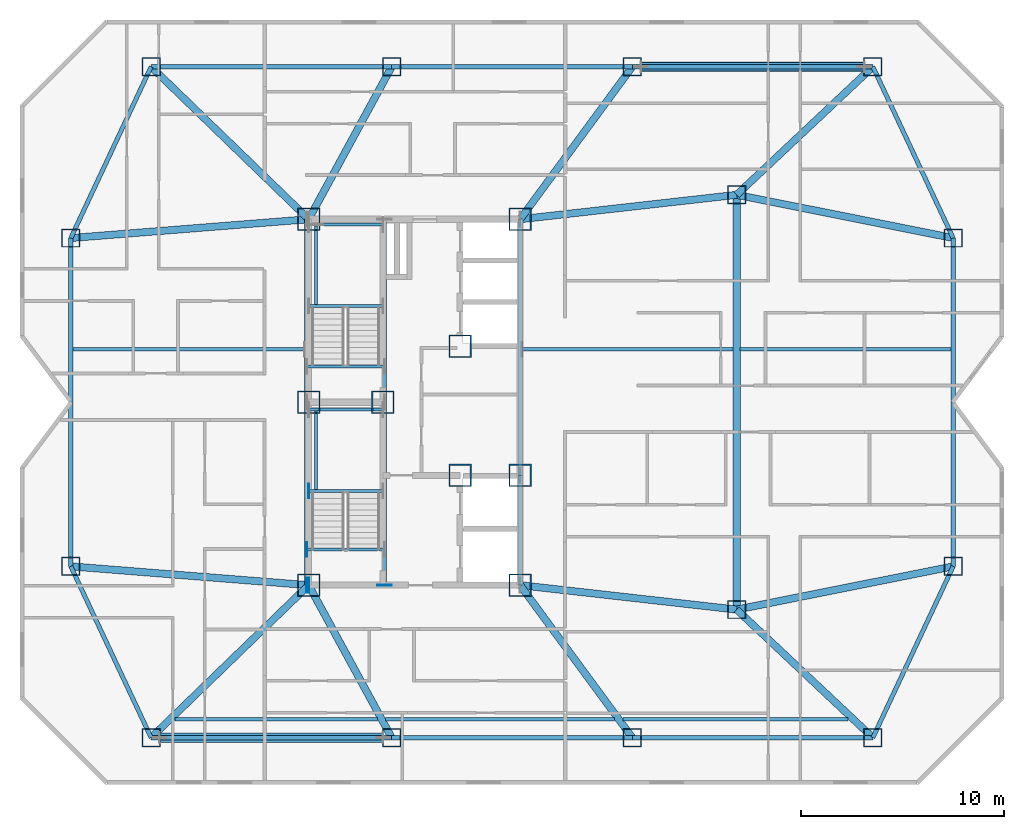
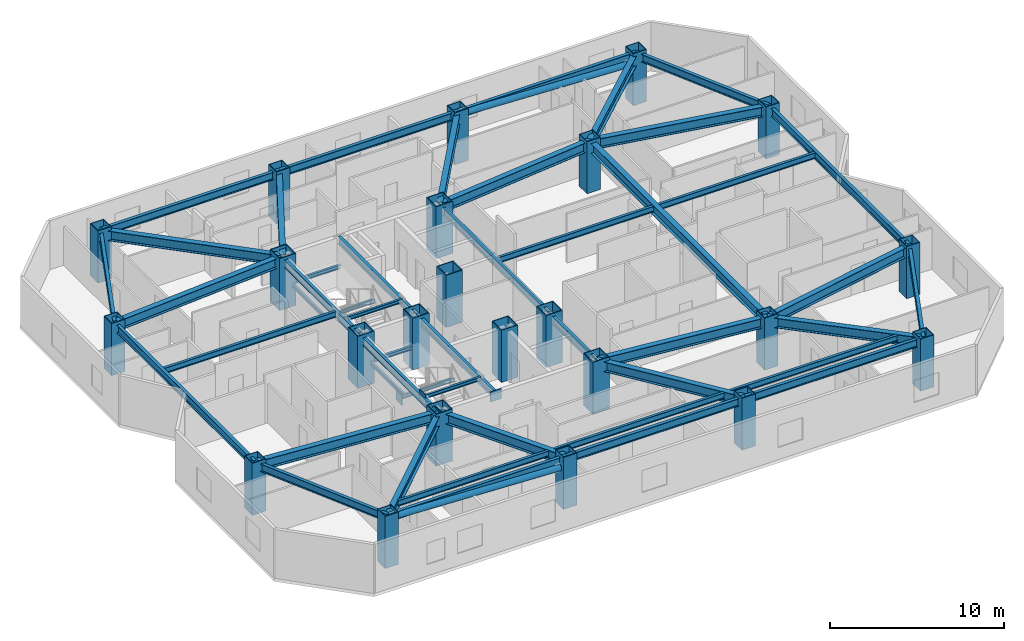
# One storey, part 1 of 11: 47 beams, 23 columns, 5 plates, 2 members.
"""IFC4 building model written with IfcOpenShell, lengths in metres."""

from ifc_helpers import new_model, si_unit, direction, frame, origin, origin_2d, place, context, subcontext, project, spatial, rectangle, hollow_rectangle, hollow_circle, i_section, extrude, material, layer, layer_set, material_profile, profile_set, type_object, element, save


model = new_model("IFC4")

# Units and contexts
model_context = context("Model", 3, precision=1e-05, world=origin(), true_north=direction((0.0, 1.0)))
body_context = subcontext(model_context, "Body", "Model", "MODEL_VIEW")
ifc_project = project(units=[si_unit("LENGTHUNIT", "METRE"), si_unit("AREAUNIT", "SQUARE_METRE"), si_unit("VOLUMEUNIT", "CUBIC_METRE"), si_unit("PLANEANGLEUNIT", "RADIAN"), si_unit("MASSUNIT", "GRAM", prefix="KILO")], contexts=[model_context])

# Site, building, storey
site_placement = place(None, origin())
site = spatial("IfcSite", under=ifc_project, at=site_placement, CompositionType="ELEMENT")
building_placement = place(site_placement, origin())
building = spatial("IfcBuilding", under=site, at=building_placement, Name="Khamvora Tower", CompositionType="ELEMENT")
storey_placement = place(building_placement, frame((0.0, 0.0, 163.199951171875)))
storey = spatial("IfcBuildingStorey", under=building, at=storey_placement, Name="L41", CompositionType="ELEMENT", Elevation=163.199951171875)

# Columns
ifc_material_1 = material(Name="Steel S460", Category="steel")
ifc_material_profile_1 = material_profile(ifc_material_1, hollow_rectangle(XDim=1.10009765625, YDim=1.10009765625, WallThickness=0.054931640625, at=origin_2d()), Name="BOX1100x1100x55")
ifc_profile_set_1 = profile_set([ifc_material_profile_1], Name="Steel S460")
column_type_1 = type_object("IfcColumnType", Name="COL-BOX1100", PredefinedType="COLUMN", material=ifc_profile_set_1)
for number, where, z_axis, x_axis, name in (
    (1, (29.0, 19.0, 0.0), (0.0, 0.0, 1.0), (1.0, 0.0, 0.0), "L41 plumb core spine column SC1"),
    (2, (32.64990234375, 28.0, 0.0), (0.0, 0.0, 1.0), (1.0, 0.0, 0.0), "L41 plumb core spine column SC2"),
    (3, (39.39990234375, 19.0, 0.0), (0.0, 0.0, 1.0), (1.0, 0.0, 0.0), "L41 plumb core spine column SC3"),
    (4, (29.0, 28.0, 0.0), (0.0, 0.0, 1.0), (1.0, 0.0, 0.0), "L41 plumb core spine column SC4"),
    (5, (36.449951171875, 24.39990234375, 0.0), (0.0, 0.0, 1.0), (1.0, 0.0, 0.0), "L41 plumb core spine column SC5"),
    (6, (39.39990234375, 24.39990234375, 0.0), (0.0, 0.0, 1.0), (1.0, 0.0, 0.0), "L41 plumb core spine column SC6"),
    (7, (29.0, 37.0, 0.0), (0.0, 0.0, 1.0), (1.0, 0.0, 0.0), "L41 plumb core spine column SC7"),
    (8, (36.449951171875, 30.75, 0.0), (0.0, 0.0, 1.0), (1.0, 0.0, 0.0), "L41 plumb core spine column SC8"),
    (9, (39.39990234375, 37.0, 0.0), (0.0, 0.0, 1.0), (1.0, 0.0, 0.0), "L41 plumb core spine column SC9"),
):
    element("IfcColumn", number, at=place(storey_placement, frame(where, z_axis=z_axis, x_axis=x_axis)), inside=storey, type_object=column_type_1, Name=name, PredefinedType="COLUMN", context=body_context, shape_type="SweptSolid", body=[
        extrude(hollow_rectangle(XDim=1.10009765625, YDim=1.10009765625, WallThickness=0.054931640625, at=origin_2d()), origin(), (0.0, 0.0, 1.0), 3.650146484375),
    ])
ifc_material_2 = material(Name="Steel S355", Category="steel")
ifc_material_profile_2 = material_profile(ifc_material_2, hollow_rectangle(XDim=0.89990234375, YDim=0.89990234375, WallThickness=0.044921875, at=origin_2d()), Name="BOX900x900x45")
ifc_profile_set_2 = profile_set([ifc_material_profile_2], Name="Steel S355")
column_type_2 = type_object("IfcColumnType", Name="COL-BOX900", PredefinedType="COLUMN", material=ifc_profile_set_2)
for number, where, z_axis, x_axis, name in (
    (10, (21.25, 11.5, 0.0), (0.0, 0.0, 1.0), (1.0, 0.0, 0.0), "L41 structural frame column S1"),
    (11, (33.0830078125, 11.5, 0.0), (0.0, 0.0, 1.0), (1.0, 0.0, 0.0), "L41 structural frame column S2"),
    (12, (44.9169921875, 11.5, 0.0), (0.0, 0.0, 1.0), (1.0, 0.0, 0.0), "L41 structural frame column S3"),
    (13, (56.75, 11.5, 0.0), (0.0, 0.0, 1.0), (1.0, 0.0, 0.0), "L41 structural frame column S4"),
    (14, (21.25, 44.5, 0.0), (0.0, 0.0, 1.0), (1.0, 0.0, 0.0), "L41 structural frame column N1"),
    (15, (33.0830078125, 44.5, 0.0), (0.0, 0.0, 1.0), (1.0, 0.0, 0.0), "L41 structural frame column N2"),
    (16, (44.9169921875, 44.5, 0.0), (0.0, 0.0, 1.0), (1.0, 0.0, 0.0), "L41 structural frame column N3"),
    (17, (56.75, 44.5, 0.0), (0.0, 0.0, 1.0), (1.0, 0.0, 0.0), "L41 structural frame column N4"),
    (18, (17.300048828125, 19.925048828125, 0.0), (0.0, 0.0, 1.0), (1.0, 0.0, 0.0), "L41 structural frame column W1"),
    (19, (17.300048828125, 36.074951171875, 0.0), (0.0, 0.0, 1.0), (1.0, 0.0, 0.0), "L41 structural frame column W2"),
    (20, (60.699951171875, 19.925048828125, 0.0), (0.0, 0.0, 1.0), (1.0, 0.0, 0.0), "L41 structural frame column E1"),
    (21, (60.699951171875, 36.074951171875, 0.0), (0.0, 0.0, 1.0), (1.0, 0.0, 0.0), "L41 structural frame column E2"),
    (22, (50.050048828125, 17.800048828125, 0.0), (0.0, 0.0, 1.0), (1.0, 0.0, 0.0), "L41 structural frame column M1"),
    (23, (50.050048828125, 38.199951171875, 0.0), (0.0, 0.0, 1.0), (1.0, 0.0, 0.0), "L41 structural frame column M2"),
):
    element("IfcColumn", number, at=place(storey_placement, frame(where, z_axis=z_axis, x_axis=x_axis)), inside=storey, type_object=column_type_2, Name=name, PredefinedType="COLUMN", context=body_context, shape_type="SweptSolid", body=[
        extrude(hollow_rectangle(XDim=0.89990234375, YDim=0.89990234375, WallThickness=0.044921875, at=origin_2d()), origin(), (0.0, 0.0, 1.0), 3.650146484375),
    ])

# Beams
ifc_material_profile_3 = material_profile(ifc_material_2, i_section(OverallWidth=0.177978515625, OverallDepth=0.406982421875, WebThickness=0.008056640625, FlangeThickness=0.012939453125, FilletRadius=0.010009765625, at=origin_2d()), Name="W410x60")
ifc_profile_set_3 = profile_set([ifc_material_profile_3], Name="Steel S355")
beam_type_1 = type_object("IfcBeamType", Name="BM-JS-W410x60", PredefinedType="JOIST", material=ifc_profile_set_3)
beam_1_placement = place(storey_placement, frame((22.429931640625, 12.39990234375, 3.22705078125), z_axis=(1.0, 0.0, 0.0), x_axis=(0.0, 1.0, 0.0)))
element("IfcBeam", 24, at=beam_1_placement, inside=storey, type_object=beam_type_1, Name="L41 secondary floor joist 01", PredefinedType="JOIST", context=body_context, shape_type="SweptSolid", body=[
    extrude(i_section(OverallWidth=0.177978515625, OverallDepth=0.406982421875, WebThickness=0.008056640625, FlangeThickness=0.012939453125, FilletRadius=0.010009765625, at=origin_2d()), origin(), (0.0, 0.0, 1.0), 9.966064453125),
])
beam_2_placement = place(storey_placement, frame((32.7900390625, 12.39990234375, 3.22705078125), z_axis=(1.0, 0.0, 0.0), x_axis=(0.0, 1.0, 0.0)))
element("IfcBeam", 25, at=beam_2_placement, inside=storey, type_object=beam_type_1, Name="L41 secondary floor joist 02", PredefinedType="JOIST", context=body_context, shape_type="SweptSolid", body=[
    extrude(i_section(OverallWidth=0.177978515625, OverallDepth=0.406982421875, WebThickness=0.008056640625, FlangeThickness=0.012939453125, FilletRadius=0.010009765625, at=origin_2d()), origin(), (0.0, 0.0, 1.0), 11.25),
])
beam_3_placement = place(storey_placement, frame((44.469970703125, 12.39990234375, 3.22705078125), z_axis=(1.0, 0.0, 0.0), x_axis=(0.0, 1.0, 0.0)))
element("IfcBeam", 26, at=beam_3_placement, inside=storey, type_object=beam_type_1, Name="L41 secondary floor joist 03", PredefinedType="JOIST", context=body_context, shape_type="SweptSolid", body=[
    extrude(i_section(OverallWidth=0.177978515625, OverallDepth=0.406982421875, WebThickness=0.008056640625, FlangeThickness=0.012939453125, FilletRadius=0.010009765625, at=origin_2d()), origin(), (0.0, 0.0, 1.0), 11.069091796875),
])
beam_4_placement = place(storey_placement, frame((17.40087890625, 30.60009765625, 3.22705078125), z_axis=(1.0, 0.0, 0.0), x_axis=(0.0, 1.0, 0.0)))
element("IfcBeam", 27, at=beam_4_placement, inside=storey, type_object=beam_type_1, Name="L41 secondary floor joist 04", PredefinedType="JOIST", context=body_context, shape_type="SweptSolid", body=[
    extrude(i_section(OverallWidth=0.177978515625, OverallDepth=0.406982421875, WebThickness=0.008056640625, FlangeThickness=0.012939453125, FilletRadius=0.010009765625, at=origin_2d()), origin(), (0.0, 0.0, 1.0), 11.399169921875),
])
beam_5_placement = place(storey_placement, frame((39.4990234375, 30.60009765625, 3.22705078125), z_axis=(1.0, 0.0, 0.0), x_axis=(0.0, 1.0, 0.0)))
element("IfcBeam", 28, at=beam_5_placement, inside=storey, type_object=beam_type_1, Name="L41 secondary floor joist 05", PredefinedType="JOIST", context=body_context, shape_type="SweptSolid", body=[
    extrude(i_section(OverallWidth=0.177978515625, OverallDepth=0.406982421875, WebThickness=0.008056640625, FlangeThickness=0.012939453125, FilletRadius=0.010009765625, at=origin_2d()), origin(), (0.0, 0.0, 1.0), 10.3779296875),
])
beam_6_placement = place(storey_placement, frame((50.221923828125, 30.60009765625, 3.22705078125), z_axis=(1.0, 0.0, 0.0), x_axis=(0.0, 1.0, 0.0)))
element("IfcBeam", 29, at=beam_6_placement, inside=storey, type_object=beam_type_1, Name="L41 secondary floor joist 06", PredefinedType="JOIST", context=body_context, shape_type="SweptSolid", body=[
    extrude(i_section(OverallWidth=0.177978515625, OverallDepth=0.406982421875, WebThickness=0.008056640625, FlangeThickness=0.012939453125, FilletRadius=0.010009765625, at=origin_2d()), origin(), (0.0, 0.0, 1.0), 10.377197265625),
])
ifc_material_profile_4 = material_profile(ifc_material_2, i_section(OverallWidth=0.14697265625, OverallDepth=0.261962890625, WebThickness=0.007080078125, FlangeThickness=0.010986328125, FilletRadius=0.008056640625, at=origin_2d()), Name="W250x39")
ifc_profile_set_4 = profile_set([ifc_material_profile_4], Name="Steel S355")
beam_type_2 = type_object("IfcBeamType", Name="BM-LN-W250x39", PredefinedType="LINTEL", material=ifc_profile_set_4)
for number, where, z_axis, x_axis, name in (
    (30, (29.0, 23.635009765625, 1.494140625), (1.0, 0.0, 0.0), (0.0, 1.0, 0.0), "L41 ST-01 half-landing support beam 1.1"),
    (31, (29.0, 27.6298828125, 1.494140625), (1.0, 0.0, 0.0), (0.0, 1.0, 0.0), "L41 ST-01 half-landing support beam 1.2"),
):
    element("IfcBeam", number, at=place(storey_placement, frame(where, z_axis=z_axis, x_axis=x_axis)), inside=storey, type_object=beam_type_2, Name=name, PredefinedType="LINTEL", context=body_context, shape_type="SweptSolid", body=[
        extrude(i_section(OverallWidth=0.14697265625, OverallDepth=0.261962890625, WebThickness=0.007080078125, FlangeThickness=0.010986328125, FilletRadius=0.008056640625, at=origin_2d()), origin(), (0.0, 0.0, 1.0), 3.64990234375),
    ])
beam_7_placement = place(storey_placement, frame((29.35009765625, 23.635009765625, 1.494140625), z_axis=(0.0, 1.0, 0.0), x_axis=(-1.0, 0.0, 0.0)))
element("IfcBeam", 32, at=beam_7_placement, inside=storey, type_object=beam_type_2, Name="L41 ST-01 half-landing edge stringer 1", PredefinedType="LINTEL", context=body_context, shape_type="SweptSolid", body=[
    extrude(i_section(OverallWidth=0.14697265625, OverallDepth=0.261962890625, WebThickness=0.007080078125, FlangeThickness=0.010986328125, FilletRadius=0.008056640625, at=origin_2d()), origin(), (0.0, 0.0, 1.0), 3.994873046875),
])
for number, where, z_axis, x_axis, name in (
    (33, (29.0, 32.735107421875, 1.494140625), (1.0, 0.0, 0.0), (0.0, 1.0, 0.0), "L41 ST-02 half-landing support beam 1.1"),
    (34, (29.0, 36.72998046875, 1.494140625), (1.0, 0.0, 0.0), (0.0, 1.0, 0.0), "L41 ST-02 half-landing support beam 1.2"),
):
    element("IfcBeam", number, at=place(storey_placement, frame(where, z_axis=z_axis, x_axis=x_axis)), inside=storey, type_object=beam_type_2, Name=name, PredefinedType="LINTEL", context=body_context, shape_type="SweptSolid", body=[
        extrude(i_section(OverallWidth=0.14697265625, OverallDepth=0.261962890625, WebThickness=0.007080078125, FlangeThickness=0.010986328125, FilletRadius=0.008056640625, at=origin_2d()), origin(), (0.0, 0.0, 1.0), 3.64990234375),
    ])
beam_8_placement = place(storey_placement, frame((29.35009765625, 32.735107421875, 1.494140625), z_axis=(0.0, 1.0, 0.0), x_axis=(-1.0, 0.0, 0.0)))
element("IfcBeam", 35, at=beam_8_placement, inside=storey, type_object=beam_type_2, Name="L41 ST-02 half-landing edge stringer 1", PredefinedType="LINTEL", context=body_context, shape_type="SweptSolid", body=[
    extrude(i_section(OverallWidth=0.14697265625, OverallDepth=0.261962890625, WebThickness=0.007080078125, FlangeThickness=0.010986328125, FilletRadius=0.008056640625, at=origin_2d()), origin(), (0.0, 0.0, 1.0), 3.994873046875),
])
for number, where, z_axis, x_axis, name in (
    (36, (28.89990234375, 20.75, 3.303955078125), (1.0, 0.0, 0.0), (0.0, 1.0, 0.0), "L41 exit stair ST-01 landing trimmer beam"),
    (37, (28.89990234375, 29.75, 3.303955078125), (1.0, 0.0, 0.0), (0.0, 1.0, 0.0), "L41 exit stair ST-02 landing trimmer beam"),
):
    element("IfcBeam", number, at=place(storey_placement, frame(where, z_axis=z_axis, x_axis=x_axis)), inside=storey, type_object=beam_type_2, Name=name, PredefinedType="LINTEL", context=body_context, shape_type="SweptSolid", body=[
        extrude(i_section(OverallWidth=0.14697265625, OverallDepth=0.261962890625, WebThickness=0.007080078125, FlangeThickness=0.010986328125, FilletRadius=0.008056640625, at=origin_2d()), origin(), (0.0, 0.0, 1.0), 3.830078125),
    ])
ifc_material_profile_5 = material_profile(ifc_material_2, i_section(OverallWidth=0.35498046875, OverallDepth=0.695068359375, WebThickness=0.014892578125, FlangeThickness=0.02490234375, FilletRadius=0.01611328125, at=origin_2d()), Name="W690x217")
ifc_profile_set_5 = profile_set([ifc_material_profile_5], Name="Steel S355")
beam_type_3 = type_object("IfcBeamType", Name="BM-PG-W690x217", PredefinedType="BEAM", material=ifc_profile_set_5)
beam_9_placement = place(storey_placement, frame((50.050048828125, 17.800048828125, 3.08203125), z_axis=(0.0, 1.0, 0.0), x_axis=(-1.0, 0.0, 0.0)))
element("IfcBeam", 38, at=beam_9_placement, inside=storey, type_object=beam_type_3, Name="L41 longitudinal frame girder M1-M2", PredefinedType="BEAM", context=body_context, shape_type="SweptSolid", body=[
    extrude(i_section(OverallWidth=0.35498046875, OverallDepth=0.695068359375, WebThickness=0.014892578125, FlangeThickness=0.02490234375, FilletRadius=0.01611328125, at=origin_2d()), origin(), (0.0, 0.0, 1.0), 20.39990234375),
])
beam_10_placement = place(storey_placement, frame((29.0, 19.0, 3.08203125), z_axis=(-0.718602141767, -0.695421427516, 0.0), x_axis=(0.695421427516, -0.718602141767, 0.0)))
element("IfcBeam", 39, at=beam_10_placement, inside=storey, type_object=beam_type_3, Name="L41 primary floor girder S1", PredefinedType="BEAM", context=body_context, shape_type="SweptSolid", body=[
    extrude(i_section(OverallWidth=0.35498046875, OverallDepth=0.695068359375, WebThickness=0.014892578125, FlangeThickness=0.02490234375, FilletRadius=0.01611328125, at=origin_2d()), origin(), (0.0, 0.0, 1.0), 10.784912109375),
])
beam_11_placement = place(storey_placement, frame((29.0, 19.0, 3.08203125), z_axis=(0.478138862063, -0.878284252725, 0.0), x_axis=(0.878284252725, 0.478138862063, 0.0)))
element("IfcBeam", 40, at=beam_11_placement, inside=storey, type_object=beam_type_3, Name="L41 primary floor girder S2", PredefinedType="BEAM", context=body_context, shape_type="SweptSolid", body=[
    extrude(i_section(OverallWidth=0.35498046875, OverallDepth=0.695068359375, WebThickness=0.014892578125, FlangeThickness=0.02490234375, FilletRadius=0.01611328125, at=origin_2d()), origin(), (0.0, 0.0, 1.0), 8.539306640625),
])
beam_12_placement = place(storey_placement, frame((39.39990234375, 19.0, 3.08203125), z_axis=(0.592556630955, -0.805528794713, 0.0), x_axis=(0.805528794713, 0.592556630955, 0.0)))
element("IfcBeam", 41, at=beam_12_placement, inside=storey, type_object=beam_type_3, Name="L41 primary floor girder S3", PredefinedType="BEAM", context=body_context, shape_type="SweptSolid", body=[
    extrude(i_section(OverallWidth=0.35498046875, OverallDepth=0.695068359375, WebThickness=0.014892578125, FlangeThickness=0.02490234375, FilletRadius=0.01611328125, at=origin_2d()), origin(), (0.0, 0.0, 1.0), 9.310546875),
])
beam_13_placement = place(storey_placement, frame((50.050048828125, 17.800048828125, 3.08203125), z_axis=(0.728513992294, -0.685030921224, 0.0), x_axis=(0.685030921224, 0.728513992294, 0.0)))
element("IfcBeam", 42, at=beam_13_placement, inside=storey, type_object=beam_type_3, Name="L41 primary floor girder S4", PredefinedType="BEAM", context=body_context, shape_type="SweptSolid", body=[
    extrude(i_section(OverallWidth=0.35498046875, OverallDepth=0.695068359375, WebThickness=0.014892578125, FlangeThickness=0.02490234375, FilletRadius=0.01611328125, at=origin_2d()), origin(), (0.0, 0.0, 1.0), 9.19677734375),
])
beam_14_placement = place(storey_placement, frame((29.0, 37.0, 3.08203125), z_axis=(-0.718602141767, 0.695421427516, 0.0), x_axis=(-0.695421427516, -0.718602141767, 0.0)))
element("IfcBeam", 43, at=beam_14_placement, inside=storey, type_object=beam_type_3, Name="L41 primary floor girder N1", PredefinedType="BEAM", context=body_context, shape_type="SweptSolid", body=[
    extrude(i_section(OverallWidth=0.35498046875, OverallDepth=0.695068359375, WebThickness=0.014892578125, FlangeThickness=0.02490234375, FilletRadius=0.01611328125, at=origin_2d()), origin(), (0.0, 0.0, 1.0), 10.784912109375),
])
beam_15_placement = place(storey_placement, frame((29.0, 37.0, 3.08203125), z_axis=(0.478138862063, 0.878284252725, 0.0), x_axis=(-0.878284252725, 0.478138862063, 0.0)))
element("IfcBeam", 44, at=beam_15_placement, inside=storey, type_object=beam_type_3, Name="L41 primary floor girder N2", PredefinedType="BEAM", context=body_context, shape_type="SweptSolid", body=[
    extrude(i_section(OverallWidth=0.35498046875, OverallDepth=0.695068359375, WebThickness=0.014892578125, FlangeThickness=0.02490234375, FilletRadius=0.01611328125, at=origin_2d()), origin(), (0.0, 0.0, 1.0), 8.539306640625),
])
beam_16_placement = place(storey_placement, frame((39.39990234375, 37.0, 3.08203125), z_axis=(0.592556630955, 0.805528794713, 0.0), x_axis=(-0.805528794713, 0.592556630955, 0.0)))
element("IfcBeam", 45, at=beam_16_placement, inside=storey, type_object=beam_type_3, Name="L41 primary floor girder N3", PredefinedType="BEAM", context=body_context, shape_type="SweptSolid", body=[
    extrude(i_section(OverallWidth=0.35498046875, OverallDepth=0.695068359375, WebThickness=0.014892578125, FlangeThickness=0.02490234375, FilletRadius=0.01611328125, at=origin_2d()), origin(), (0.0, 0.0, 1.0), 9.310546875),
])
beam_17_placement = place(storey_placement, frame((50.050048828125, 38.199951171875, 3.08203125), z_axis=(0.728513992294, 0.685030921224, 0.0), x_axis=(-0.685030921224, 0.728513992294, 0.0)))
element("IfcBeam", 46, at=beam_17_placement, inside=storey, type_object=beam_type_3, Name="L41 primary floor girder N4", PredefinedType="BEAM", context=body_context, shape_type="SweptSolid", body=[
    extrude(i_section(OverallWidth=0.35498046875, OverallDepth=0.695068359375, WebThickness=0.014892578125, FlangeThickness=0.02490234375, FilletRadius=0.01611328125, at=origin_2d()), origin(), (0.0, 0.0, 1.0), 9.19677734375),
])
for number, where, z_axis, x_axis, name in (
    (47, (29.0, 19.0, 3.08203125), (-0.996888993668, 0.078818362728, 0.0), (-0.078818362728, -0.996888993668, 0.0), "L41 primary floor girder W1"),
    (48, (29.0, 37.0, 3.08203125), (-0.996888993668, -0.078818362728, 0.0), (0.078818362728, -0.996888993668, 0.0), "L41 primary floor girder W2"),
):
    element("IfcBeam", number, at=place(storey_placement, frame(where, z_axis=z_axis, x_axis=x_axis)), inside=storey, type_object=beam_type_3, Name=name, PredefinedType="BEAM", context=body_context, shape_type="SweptSolid", body=[
        extrude(i_section(OverallWidth=0.35498046875, OverallDepth=0.695068359375, WebThickness=0.014892578125, FlangeThickness=0.02490234375, FilletRadius=0.01611328125, at=origin_2d()), origin(), (0.0, 0.0, 1.0), 11.736572265625),
    ])
for number, where, z_axis, x_axis, name in (
    (49, (50.050048828125, 17.800048828125, 3.08203125), (0.980668771461, 0.195675140681, 0.0), (-0.195675140681, 0.980668771461, 0.0), "L41 primary floor girder E1"),
    (50, (50.050048828125, 38.199951171875, 3.08203125), (0.980668771461, -0.195675140681, 0.0), (0.195675140681, 0.980668771461, 0.0), "L41 primary floor girder E2"),
):
    element("IfcBeam", number, at=place(storey_placement, frame(where, z_axis=z_axis, x_axis=x_axis)), inside=storey, type_object=beam_type_3, Name=name, PredefinedType="BEAM", context=body_context, shape_type="SweptSolid", body=[
        extrude(i_section(OverallWidth=0.35498046875, OverallDepth=0.695068359375, WebThickness=0.014892578125, FlangeThickness=0.02490234375, FilletRadius=0.01611328125, at=origin_2d()), origin(), (0.0, 0.0, 1.0), 10.85986328125),
    ])
for number, where, z_axis, x_axis, name in (
    (51, (39.39990234375, 19.0, 3.08203125), (0.993712543569, -0.111961514606, 0.0), (0.111961514606, 0.993712543569, 0.0), "L41 primary floor girder M1"),
    (52, (39.39990234375, 37.0, 3.08203125), (0.993712543569, 0.111961514606, 0.0), (-0.111961514606, 0.993712543569, 0.0), "L41 primary floor girder M2"),
):
    element("IfcBeam", number, at=place(storey_placement, frame(where, z_axis=z_axis, x_axis=x_axis)), inside=storey, type_object=beam_type_3, Name=name, PredefinedType="BEAM", context=body_context, shape_type="SweptSolid", body=[
        extrude(i_section(OverallWidth=0.35498046875, OverallDepth=0.695068359375, WebThickness=0.014892578125, FlangeThickness=0.02490234375, FilletRadius=0.01611328125, at=origin_2d()), origin(), (0.0, 0.0, 1.0), 10.717529296875),
    ])
ifc_material_profile_6 = material_profile(ifc_material_2, i_section(OverallWidth=0.2119140625, OverallDepth=0.5439453125, WebThickness=0.012939453125, FlangeThickness=0.02099609375, FilletRadius=0.013916015625, at=origin_2d()), Name="W530x123")
ifc_profile_set_6 = profile_set([ifc_material_profile_6], Name="Steel S355")
beam_type_4 = type_object("IfcBeamType", Name="BM-SP-W530x123", PredefinedType="SPANDREL", material=ifc_profile_set_6)
beam_18_placement = place(storey_placement, frame((17.300048828125, 19.925048828125, 3.157958984375), z_axis=(0.424496391454, -0.905429629315, 0.0), x_axis=(0.905429629315, 0.424496391454, 0.0)))
element("IfcBeam", 53, at=beam_18_placement, inside=storey, type_object=beam_type_4, Name="L41 perimeter spandrel beam W1-S1", PredefinedType="SPANDREL", context=body_context, shape_type="SweptSolid", body=[
    extrude(i_section(OverallWidth=0.2119140625, OverallDepth=0.5439453125, WebThickness=0.012939453125, FlangeThickness=0.02099609375, FilletRadius=0.013916015625, at=origin_2d()), origin(), (0.0, 0.0, 1.0), 9.304931640625),
])
beam_19_placement = place(storey_placement, frame((21.25, 11.5, 3.157958984375), z_axis=(1.0, 0.0, 0.0), x_axis=(0.0, 1.0, 0.0)))
element("IfcBeam", 54, at=beam_19_placement, inside=storey, type_object=beam_type_4, Name="L41 perimeter spandrel beam S1-S2", PredefinedType="SPANDREL", context=body_context, shape_type="SweptSolid", body=[
    extrude(i_section(OverallWidth=0.2119140625, OverallDepth=0.5439453125, WebThickness=0.012939453125, FlangeThickness=0.02099609375, FilletRadius=0.013916015625, at=origin_2d()), origin(), (0.0, 0.0, 1.0), 11.8330078125),
])
beam_20_placement = place(storey_placement, frame((33.0830078125, 11.5, 3.157958984375), z_axis=(1.0, 0.0, 0.0), x_axis=(0.0, 1.0, 0.0)))
element("IfcBeam", 55, at=beam_20_placement, inside=storey, type_object=beam_type_4, Name="L41 perimeter spandrel beam S2-S3", PredefinedType="SPANDREL", context=body_context, shape_type="SweptSolid", body=[
    extrude(i_section(OverallWidth=0.2119140625, OverallDepth=0.5439453125, WebThickness=0.012939453125, FlangeThickness=0.02099609375, FilletRadius=0.013916015625, at=origin_2d()), origin(), (0.0, 0.0, 1.0), 11.833984375),
])
beam_21_placement = place(storey_placement, frame((44.9169921875, 11.5, 3.157958984375), z_axis=(1.0, 0.0, 0.0), x_axis=(0.0, 1.0, 0.0)))
element("IfcBeam", 56, at=beam_21_placement, inside=storey, type_object=beam_type_4, Name="L41 perimeter spandrel beam S3-S4", PredefinedType="SPANDREL", context=body_context, shape_type="SweptSolid", body=[
    extrude(i_section(OverallWidth=0.2119140625, OverallDepth=0.5439453125, WebThickness=0.012939453125, FlangeThickness=0.02099609375, FilletRadius=0.013916015625, at=origin_2d()), origin(), (0.0, 0.0, 1.0), 11.8330078125),
])
beam_22_placement = place(storey_placement, frame((56.75, 11.5, 3.157958984375), z_axis=(0.424496391454, 0.905429629315, 0.0), x_axis=(-0.905429629315, 0.424496391454, 0.0)))
element("IfcBeam", 57, at=beam_22_placement, inside=storey, type_object=beam_type_4, Name="L41 perimeter spandrel beam S4-E1", PredefinedType="SPANDREL", context=body_context, shape_type="SweptSolid", body=[
    extrude(i_section(OverallWidth=0.2119140625, OverallDepth=0.5439453125, WebThickness=0.012939453125, FlangeThickness=0.02099609375, FilletRadius=0.013916015625, at=origin_2d()), origin(), (0.0, 0.0, 1.0), 9.304931640625),
])
beam_23_placement = place(storey_placement, frame((60.699951171875, 19.925048828125, 3.157958984375), z_axis=(0.0, 1.0, 0.0), x_axis=(-1.0, 0.0, 0.0)))
element("IfcBeam", 58, at=beam_23_placement, inside=storey, type_object=beam_type_4, Name="L41 perimeter spandrel beam E1-E2", PredefinedType="SPANDREL", context=body_context, shape_type="SweptSolid", body=[
    extrude(i_section(OverallWidth=0.2119140625, OverallDepth=0.5439453125, WebThickness=0.012939453125, FlangeThickness=0.02099609375, FilletRadius=0.013916015625, at=origin_2d()), origin(), (0.0, 0.0, 1.0), 16.14990234375),
])
beam_24_placement = place(storey_placement, frame((60.699951171875, 36.074951171875, 3.157958984375), z_axis=(-0.424496391454, 0.905429629315, 0.0), x_axis=(-0.905429629315, -0.424496391454, 0.0)))
element("IfcBeam", 59, at=beam_24_placement, inside=storey, type_object=beam_type_4, Name="L41 perimeter spandrel beam E2-N4", PredefinedType="SPANDREL", context=body_context, shape_type="SweptSolid", body=[
    extrude(i_section(OverallWidth=0.2119140625, OverallDepth=0.5439453125, WebThickness=0.012939453125, FlangeThickness=0.02099609375, FilletRadius=0.013916015625, at=origin_2d()), origin(), (0.0, 0.0, 1.0), 9.304931640625),
])
beam_25_placement = place(storey_placement, frame((56.75, 44.5, 3.157958984375), z_axis=(-1.0, 0.0, 0.0), x_axis=(0.0, -1.0, 0.0)))
element("IfcBeam", 60, at=beam_25_placement, inside=storey, type_object=beam_type_4, Name="L41 perimeter spandrel beam N4-N3", PredefinedType="SPANDREL", context=body_context, shape_type="SweptSolid", body=[
    extrude(i_section(OverallWidth=0.2119140625, OverallDepth=0.5439453125, WebThickness=0.012939453125, FlangeThickness=0.02099609375, FilletRadius=0.013916015625, at=origin_2d()), origin(), (0.0, 0.0, 1.0), 11.8330078125),
])
beam_26_placement = place(storey_placement, frame((44.9169921875, 44.5, 3.157958984375), z_axis=(-1.0, 0.0, 0.0), x_axis=(0.0, -1.0, 0.0)))
element("IfcBeam", 61, at=beam_26_placement, inside=storey, type_object=beam_type_4, Name="L41 perimeter spandrel beam N3-N2", PredefinedType="SPANDREL", context=body_context, shape_type="SweptSolid", body=[
    extrude(i_section(OverallWidth=0.2119140625, OverallDepth=0.5439453125, WebThickness=0.012939453125, FlangeThickness=0.02099609375, FilletRadius=0.013916015625, at=origin_2d()), origin(), (0.0, 0.0, 1.0), 11.833984375),
])
beam_27_placement = place(storey_placement, frame((33.0830078125, 44.5, 3.157958984375), z_axis=(-1.0, 0.0, 0.0), x_axis=(0.0, -1.0, 0.0)))
element("IfcBeam", 62, at=beam_27_placement, inside=storey, type_object=beam_type_4, Name="L41 perimeter spandrel beam N2-N1", PredefinedType="SPANDREL", context=body_context, shape_type="SweptSolid", body=[
    extrude(i_section(OverallWidth=0.2119140625, OverallDepth=0.5439453125, WebThickness=0.012939453125, FlangeThickness=0.02099609375, FilletRadius=0.013916015625, at=origin_2d()), origin(), (0.0, 0.0, 1.0), 11.8330078125),
])
beam_28_placement = place(storey_placement, frame((21.25, 44.5, 3.157958984375), z_axis=(-0.424496391454, -0.905429629315, 0.0), x_axis=(0.905429629315, -0.424496391454, 0.0)))
element("IfcBeam", 63, at=beam_28_placement, inside=storey, type_object=beam_type_4, Name="L41 perimeter spandrel beam N1-W2", PredefinedType="SPANDREL", context=body_context, shape_type="SweptSolid", body=[
    extrude(i_section(OverallWidth=0.2119140625, OverallDepth=0.5439453125, WebThickness=0.012939453125, FlangeThickness=0.02099609375, FilletRadius=0.013916015625, at=origin_2d()), origin(), (0.0, 0.0, 1.0), 9.304931640625),
])
beam_29_placement = place(storey_placement, frame((17.300048828125, 36.074951171875, 3.157958984375), z_axis=(0.0, -1.0, 0.0), x_axis=(1.0, 0.0, 0.0)))
element("IfcBeam", 64, at=beam_29_placement, inside=storey, type_object=beam_type_4, Name="L41 perimeter spandrel beam W2-W1", PredefinedType="SPANDREL", context=body_context, shape_type="SweptSolid", body=[
    extrude(i_section(OverallWidth=0.2119140625, OverallDepth=0.5439453125, WebThickness=0.012939453125, FlangeThickness=0.02099609375, FilletRadius=0.013916015625, at=origin_2d()), origin(), (0.0, 0.0, 1.0), 16.14990234375),
])
ifc_material_profile_7 = material_profile(ifc_material_2, i_section(OverallWidth=0.208984375, OverallDepth=0.532958984375, WebThickness=0.010009765625, FlangeThickness=0.01611328125, FilletRadius=0.013916015625, at=origin_2d()), Name="W530x92")
ifc_profile_set_7 = profile_set([ifc_material_profile_7], Name="Steel S355")
beam_type_5 = type_object("IfcBeamType", Name="BM-SP-W530x92", PredefinedType="SPANDREL", material=ifc_profile_set_7)
for number, where, z_axis, x_axis, name in (
    (65, (28.89990234375, 19.0, 3.1630859375), (0.0, 1.0, 0.0), (-1.0, 0.0, 0.0), "L41 core spine girder WS"),
    (66, (28.89990234375, 28.0, 3.1630859375), (0.0, 1.0, 0.0), (-1.0, 0.0, 0.0), "L41 core spine girder WN"),
    (67, (32.72998046875, 19.0, 3.1630859375), (0.0, 1.0, 0.0), (-1.0, 0.0, 0.0), "L41 core spine girder M1S"),
    (68, (32.72998046875, 28.0, 3.1630859375), (0.0, 1.0, 0.0), (-1.0, 0.0, 0.0), "L41 core spine girder M1N"),
):
    element("IfcBeam", number, at=place(storey_placement, frame(where, z_axis=z_axis, x_axis=x_axis)), inside=storey, type_object=beam_type_5, Name=name, PredefinedType="SPANDREL", context=body_context, shape_type="SweptSolid", body=[
        extrude(i_section(OverallWidth=0.208984375, OverallDepth=0.532958984375, WebThickness=0.010009765625, FlangeThickness=0.01611328125, FilletRadius=0.013916015625, at=origin_2d()), origin(), (0.0, 0.0, 1.0), 9.0),
    ])
beam_30_placement = place(storey_placement, frame((39.39990234375, 19.0, 3.1630859375), z_axis=(0.0, 1.0, 0.0), x_axis=(-1.0, 0.0, 0.0)))
element("IfcBeam", 69, at=beam_30_placement, inside=storey, type_object=beam_type_5, Name="L41 core spine girder ES", PredefinedType="SPANDREL", context=body_context, shape_type="SweptSolid", body=[
    extrude(i_section(OverallWidth=0.208984375, OverallDepth=0.532958984375, WebThickness=0.010009765625, FlangeThickness=0.01611328125, FilletRadius=0.013916015625, at=origin_2d()), origin(), (0.0, 0.0, 1.0), 5.39990234375),
])
beam_31_placement = place(storey_placement, frame((39.39990234375, 24.39990234375, 3.1630859375), z_axis=(0.0, 1.0, 0.0), x_axis=(-1.0, 0.0, 0.0)))
element("IfcBeam", 70, at=beam_31_placement, inside=storey, type_object=beam_type_5, Name="L41 core spine girder EN", PredefinedType="SPANDREL", context=body_context, shape_type="SweptSolid", body=[
    extrude(i_section(OverallWidth=0.208984375, OverallDepth=0.532958984375, WebThickness=0.010009765625, FlangeThickness=0.01611328125, FilletRadius=0.013916015625, at=origin_2d()), origin(), (0.0, 0.0, 1.0), 12.60009765625),
])

# Members
ifc_material_profile_8 = material_profile(ifc_material_2, hollow_circle(Radius=0.228515625, WallThickness=0.02001953125, at=origin_2d()), Name="CHS457x20")
ifc_profile_set_8 = profile_set([ifc_material_profile_8], Name="Steel S355")
member_type = type_object("IfcMemberType", Name="MEM-BR-CHS457", PredefinedType="BRACE", material=ifc_profile_set_8)
for number, where, z_axis, x_axis, name in (
    (71, (32.653076171875, 11.5, 2.697998046875), (-0.999174860809, 0.0, 0.040615237634), (0.0, -1.0, 0.0), "L41 perimeter wind brace 1"),
    (72, (56.320068359375, 44.5, 2.697998046875), (-0.999174860809, 0.0, 0.040615237634), (0.0, -1.0, 0.0), "L41 perimeter wind brace 2"),
):
    element("IfcMember", number, at=place(storey_placement, frame(where, z_axis=z_axis, x_axis=x_axis)), inside=storey, type_object=member_type, Name=name, PredefinedType="BRACE", context=body_context, shape_type="SweptSolid", body=[
        extrude(hollow_circle(Radius=0.228515625, WallThickness=0.02001953125, at=origin_2d()), origin(), (0.0, 0.0, 1.0), 10.982177734375),
    ])

# Plates
ifc_layer = layer(ifc_material_1, 0.034912109375)
ifc_layer_set = layer_set([ifc_layer], Name="Steel S460")
plate_type = type_object("IfcPlateType", Name="PL-EMB-35", PredefinedType="SHEET", material=ifc_layer_set)
for number, where, z_axis, x_axis, name in (
    (73, (29.0, 23.635009765625, 1.13427734375), (0.0, 0.0, 1.0), (1.0, 0.0, 0.0), "L41 core shear wall cast-in embed plate 1198"),
    (74, (29.0, 19.0, 2.72216796875), (0.0, 0.0, 1.0), (1.0, 0.0, 0.0), "L41 core shear wall cast-in embed plate 1207"),
    (75, (28.89990234375, 19.0, 2.80322265625), (0.0, 0.0, 1.0), (1.0, 0.0, 0.0), "L41 core shear wall cast-in embed plate 1211"),
):
    element("IfcPlate", number, at=place(storey_placement, frame(where, z_axis=z_axis, x_axis=x_axis)), inside=storey, type_object=plate_type, Name=name, PredefinedType="SHEET", context=body_context, shape_type="SweptSolid", body=[
        extrude(rectangle(XDim=0.034912109375, YDim=0.719970703125, at=origin_2d()), origin(), (0.0, 0.0, 1.0), 0.719970703125),
    ])
plate_1_placement = place(storey_placement, frame((32.72998046875, 19.0, 2.80322265625), z_axis=(0.0, 0.0, 1.0), x_axis=(1.0, 0.0, 0.0)))
element("IfcPlate", 76, at=plate_1_placement, inside=storey, type_object=plate_type, Name="L41 core shear wall cast-in embed plate 1214", PredefinedType="SHEET", context=body_context, shape_type="SweptSolid", body=[
    extrude(rectangle(XDim=0.719970703125, YDim=0.034912109375, at=origin_2d()), origin(), (0.0, 0.0, 1.0), 0.719970703125),
])
plate_2_placement = place(storey_placement, frame((28.89990234375, 20.75, 2.94384765625), z_axis=(0.0, 0.0, 1.0), x_axis=(1.0, 0.0, 0.0)))
element("IfcPlate", 77, at=plate_2_placement, inside=storey, type_object=plate_type, Name="L41 core shear wall cast-in embed plate 1220", PredefinedType="SHEET", context=body_context, shape_type="SweptSolid", body=[
    extrude(rectangle(XDim=0.034912109375, YDim=0.719970703125, at=origin_2d()), origin(), (0.0, 0.0, 1.0), 0.719970703125),
])

save(model, "model.ifc")
